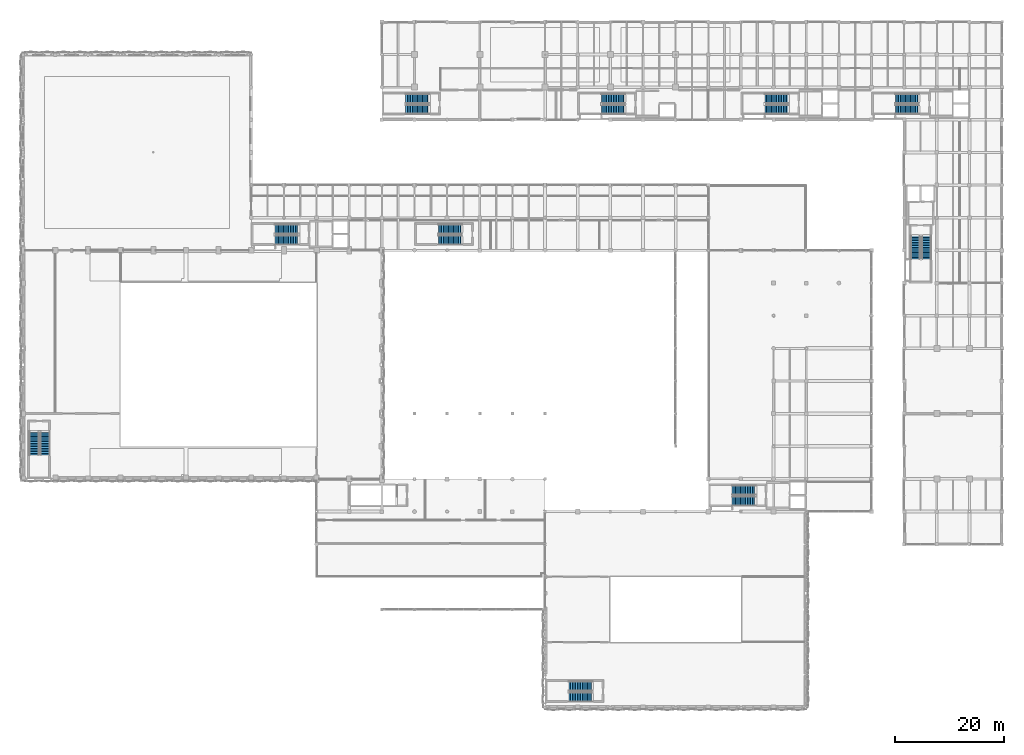
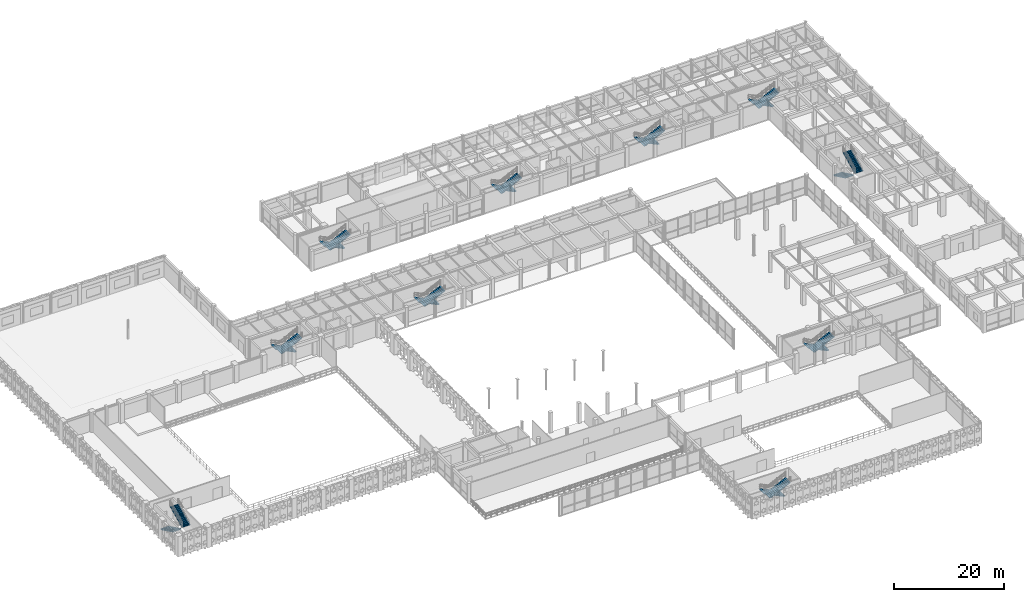
# One storey, part 97 of 116: 20 stair flights, 10 elements without a shape of their own.
"""IFC4 building model written with IfcOpenShell, lengths in metres."""

from ifc_helpers import new_model, si_unit, direction, frame, origin, place, context, subcontext, project, spatial, polyline, outline, extrude, material, type_object, element, aggregate, save


model = new_model("IFC4")

# Units and contexts
model_context = context("Model", 3, precision=1e-05, world=origin(), true_north=direction((0.0, 1.0)))
body_context = subcontext(model_context, "Body", "Model", "MODEL_VIEW")
ifc_project = project(units=[si_unit("LENGTHUNIT", "METRE"), si_unit("AREAUNIT", "SQUARE_METRE"), si_unit("VOLUMEUNIT", "CUBIC_METRE"), si_unit("PLANEANGLEUNIT", "RADIAN"), si_unit("MASSUNIT", "GRAM", prefix="KILO"), si_unit("THERMODYNAMICTEMPERATUREUNIT", "KELVIN"), si_unit("POWERUNIT", "WATT")], contexts=[model_context])

# Site, building, storey
site_placement = place(None, origin())
site = spatial("IfcSite", under=ifc_project, at=site_placement, CompositionType="ELEMENT")
building_placement = place(site_placement, origin())
building = spatial("IfcBuilding", under=site, at=building_placement, Name="Phaisarnlok Congress Hotel", CompositionType="ELEMENT")
storey_placement = place(building_placement, frame((0.0, 0.0, 10.5)))
storey = spatial("IfcBuildingStorey", under=building, at=storey_placement, Name="L02", CompositionType="ELEMENT", Elevation=10.5)

# Stair, stair flights
ifc_material = material(Name="Concrete C40/50", Category="concrete")
stair_type = type_object("IfcStairType", Name="STR-DOG-03", PredefinedType="HALF_TURN_STAIR", material=ifc_material)
stair_1_placement = place(storey_placement, origin())
stair_1 = element("IfcStair", 1, at=stair_1_placement, inside=storey, type_object=stair_type, Name="L02 ST-01", PredefinedType="HALF_TURN_STAIR")
stair_flight_type = type_object("IfcStairFlightType", Name="SFL-RC-03", PredefinedType="STRAIGHT", material=ifc_material)
stair_flight_1_placement = place(storey_placement, frame((50.719970703125, 87.909912109375, 0.0), z_axis=(0.0, 0.0, 1.0), x_axis=(-1.0, 0.0, 0.0)))
stair_flight_1 = element("IfcStairFlight", 2, at=stair_flight_1_placement, type_object=stair_flight_type, Name="ST-01 flight 1", NumberOfRisers=15, NumberOfTreads=14, PredefinedType="STRAIGHT", RiserHeight=0.15, TreadLength=0.31, context=body_context, shape_type="SweptSolid", body=[
    extrude(outline(polyline([(0.0, 0.0), (0.0, 0.14990234375), (0.31005859375, 0.14990234375), (0.31005859375, 0.300048828125), (0.6201171875, 0.300048828125), (0.6201171875, 0.449951171875), (0.929931640625, 0.449951171875), (0.929931640625, 0.60009765625), (1.239990234375, 0.60009765625), (1.239990234375, 0.75), (1.550048828125, 0.75), (1.550048828125, 0.89990234375), (1.860107421875, 0.89990234375), (1.860107421875, 1.050048828125), (2.169921875, 1.050048828125), (2.169921875, 1.199951171875), (2.47998046875, 1.199951171875), (2.47998046875, 1.35009765625), (2.7900390625, 1.35009765625), (2.7900390625, 1.5), (3.10009765625, 1.5), (3.10009765625, 1.64990234375), (3.409912109375, 1.64990234375), (3.409912109375, 1.800048828125), (3.719970703125, 1.800048828125), (3.719970703125, 1.949951171875), (4.030029296875, 1.949951171875), (4.030029296875, 2.10009765625), (4.340087890625, 2.10009765625), (4.340087890625, 2.25), (4.340087890625, 1.933349609375), (0.34423828125, 0.0), (0.0, 0.0)])), frame((0.0, 0.89013671875, 0.0), z_axis=(0.0, -1.0, 0.0), x_axis=(1.0, 0.0, 0.0)), (0.0, 0.0, 1.0), 1.780029296875),
])
stair_flight_2_placement = place(storey_placement, frame((46.3798828125, 85.889892578125, 2.25), z_axis=(0.0, 0.0, 1.0), x_axis=(1.0, 0.0, 0.0)))
stair_flight_2 = element("IfcStairFlight", 3, at=stair_flight_2_placement, type_object=stair_flight_type, Name="ST-01 flight 2", NumberOfRisers=15, NumberOfTreads=14, PredefinedType="STRAIGHT", RiserHeight=0.15, TreadLength=0.31, context=body_context, shape_type="SweptSolid", body=[
    extrude(outline(polyline([(0.0, 0.0), (0.0, 0.14990234375), (0.31005859375, 0.14990234375), (0.31005859375, 0.300048828125), (0.6201171875, 0.300048828125), (0.6201171875, 0.449951171875), (0.929931640625, 0.449951171875), (0.929931640625, 0.60009765625), (1.239990234375, 0.60009765625), (1.239990234375, 0.75), (1.550048828125, 0.75), (1.550048828125, 0.89990234375), (1.860107421875, 0.89990234375), (1.860107421875, 1.050048828125), (2.169921875, 1.050048828125), (2.169921875, 1.199951171875), (2.47998046875, 1.199951171875), (2.47998046875, 1.35009765625), (2.7900390625, 1.35009765625), (2.7900390625, 1.5), (3.10009765625, 1.5), (3.10009765625, 1.64990234375), (3.409912109375, 1.64990234375), (3.409912109375, 1.800048828125), (3.719970703125, 1.800048828125), (3.719970703125, 1.949951171875), (4.030029296875, 1.949951171875), (4.030029296875, 2.10009765625), (4.340087890625, 2.10009765625), (4.340087890625, 2.25), (4.340087890625, 1.933349609375), (0.34423828125, 0.0), (0.0, 0.0)])), frame((0.0, 0.89013671875, 0.0), z_axis=(0.0, -1.0, 0.0), x_axis=(1.0, 0.0, 0.0)), (0.0, 0.0, 1.0), 1.780029296875),
])
aggregate(stair_1, [stair_flight_1, stair_flight_2])

stair_2_placement = place(storey_placement, origin())
stair_2 = element("IfcStair", 4, at=stair_2_placement, inside=storey, type_object=stair_type, Name="L02 ST-02", PredefinedType="HALF_TURN_STAIR")
stair_flight_3_placement = place(storey_placement, frame((134.719970703125, 39.909912109375, 0.0), z_axis=(0.0, 0.0, 1.0), x_axis=(-1.0, 0.0, 0.0)))
stair_flight_3 = element("IfcStairFlight", 5, at=stair_flight_3_placement, type_object=stair_flight_type, Name="ST-02 flight 1", NumberOfRisers=15, NumberOfTreads=14, PredefinedType="STRAIGHT", RiserHeight=0.15, TreadLength=0.31, context=body_context, shape_type="SweptSolid", body=[
    extrude(outline(polyline([(0.0, 0.0), (0.0, 0.14990234375), (0.31005859375, 0.14990234375), (0.31005859375, 0.300048828125), (0.6201171875, 0.300048828125), (0.6201171875, 0.449951171875), (0.929931640625, 0.449951171875), (0.929931640625, 0.60009765625), (1.239990234375, 0.60009765625), (1.239990234375, 0.75), (1.550048828125, 0.75), (1.550048828125, 0.89990234375), (1.860107421875, 0.89990234375), (1.860107421875, 1.050048828125), (2.169921875, 1.050048828125), (2.169921875, 1.199951171875), (2.47998046875, 1.199951171875), (2.47998046875, 1.35009765625), (2.7900390625, 1.35009765625), (2.7900390625, 1.5), (3.10009765625, 1.5), (3.10009765625, 1.64990234375), (3.409912109375, 1.64990234375), (3.409912109375, 1.800048828125), (3.719970703125, 1.800048828125), (3.719970703125, 1.949951171875), (4.030029296875, 1.949951171875), (4.030029296875, 2.10009765625), (4.340087890625, 2.10009765625), (4.340087890625, 2.25), (4.340087890625, 1.933349609375), (0.34423828125, 0.0), (0.0, 0.0)])), frame((0.0, 0.89013671875, 0.0), z_axis=(0.0, -1.0, 0.0), x_axis=(1.0, 0.0, 0.0)), (0.0, 0.0, 1.0), 1.780029296875),
])
stair_flight_4_placement = place(storey_placement, frame((130.3798828125, 37.889892578125, 2.25), z_axis=(0.0, 0.0, 1.0), x_axis=(1.0, 0.0, 0.0)))
stair_flight_4 = element("IfcStairFlight", 6, at=stair_flight_4_placement, type_object=stair_flight_type, Name="ST-02 flight 2", NumberOfRisers=15, NumberOfTreads=14, PredefinedType="STRAIGHT", RiserHeight=0.15, TreadLength=0.31, context=body_context, shape_type="SweptSolid", body=[
    extrude(outline(polyline([(0.0, 0.0), (0.0, 0.14990234375), (0.31005859375, 0.14990234375), (0.31005859375, 0.300048828125), (0.6201171875, 0.300048828125), (0.6201171875, 0.449951171875), (0.929931640625, 0.449951171875), (0.929931640625, 0.60009765625), (1.239990234375, 0.60009765625), (1.239990234375, 0.75), (1.550048828125, 0.75), (1.550048828125, 0.89990234375), (1.860107421875, 0.89990234375), (1.860107421875, 1.050048828125), (2.169921875, 1.050048828125), (2.169921875, 1.199951171875), (2.47998046875, 1.199951171875), (2.47998046875, 1.35009765625), (2.7900390625, 1.35009765625), (2.7900390625, 1.5), (3.10009765625, 1.5), (3.10009765625, 1.64990234375), (3.409912109375, 1.64990234375), (3.409912109375, 1.800048828125), (3.719970703125, 1.800048828125), (3.719970703125, 1.949951171875), (4.030029296875, 1.949951171875), (4.030029296875, 2.10009765625), (4.340087890625, 2.10009765625), (4.340087890625, 2.25), (4.340087890625, 1.933349609375), (0.34423828125, 0.0), (0.0, 0.0)])), frame((0.0, 0.89013671875, 0.0), z_axis=(0.0, -1.0, 0.0), x_axis=(1.0, 0.0, 0.0)), (0.0, 0.0, 1.0), 1.780029296875),
])
aggregate(stair_2, [stair_flight_3, stair_flight_4])

stair_3_placement = place(storey_placement, origin())
stair_3 = element("IfcStair", 7, at=stair_3_placement, inside=storey, type_object=stair_type, Name="L02 ST-03", PredefinedType="HALF_TURN_STAIR")
stair_flight_5_placement = place(storey_placement, frame((2.090087890625, 50.719970703125, 0.0), z_axis=(0.0, 0.0, 1.0), x_axis=(0.0, -1.0, 0.0)))
stair_flight_5 = element("IfcStairFlight", 8, at=stair_flight_5_placement, type_object=stair_flight_type, Name="ST-03 flight 1", NumberOfRisers=15, NumberOfTreads=14, PredefinedType="STRAIGHT", RiserHeight=0.15, TreadLength=0.31, context=body_context, shape_type="SweptSolid", body=[
    extrude(outline(polyline([(0.0, 0.0), (0.0, 0.14990234375), (0.31005859375, 0.14990234375), (0.31005859375, 0.300048828125), (0.6201171875, 0.300048828125), (0.6201171875, 0.449951171875), (0.929931640625, 0.449951171875), (0.929931640625, 0.60009765625), (1.239990234375, 0.60009765625), (1.239990234375, 0.75), (1.550048828125, 0.75), (1.550048828125, 0.89990234375), (1.860107421875, 0.89990234375), (1.860107421875, 1.050048828125), (2.169921875, 1.050048828125), (2.169921875, 1.199951171875), (2.47998046875, 1.199951171875), (2.47998046875, 1.35009765625), (2.7900390625, 1.35009765625), (2.7900390625, 1.5), (3.10009765625, 1.5), (3.10009765625, 1.64990234375), (3.409912109375, 1.64990234375), (3.409912109375, 1.800048828125), (3.719970703125, 1.800048828125), (3.719970703125, 1.949951171875), (4.030029296875, 1.949951171875), (4.030029296875, 2.10009765625), (4.340087890625, 2.10009765625), (4.340087890625, 2.25), (4.340087890625, 1.933349609375), (0.34423828125, 0.0), (0.0, 0.0)])), frame((0.0, 0.89013671875, 0.0), z_axis=(0.0, -1.0, 0.0), x_axis=(1.0, 0.0, 0.0)), (0.0, 0.0, 1.0), 1.780029296875),
])
stair_flight_6_placement = place(storey_placement, frame((4.110107421875, 46.3798828125, 2.25), z_axis=(0.0, 0.0, 1.0), x_axis=(0.0, 1.0, 0.0)))
stair_flight_6 = element("IfcStairFlight", 9, at=stair_flight_6_placement, type_object=stair_flight_type, Name="ST-03 flight 2", NumberOfRisers=15, NumberOfTreads=14, PredefinedType="STRAIGHT", RiserHeight=0.15, TreadLength=0.31, context=body_context, shape_type="SweptSolid", body=[
    extrude(outline(polyline([(0.0, 0.0), (0.0, 0.14990234375), (0.31005859375, 0.14990234375), (0.31005859375, 0.300048828125), (0.6201171875, 0.300048828125), (0.6201171875, 0.449951171875), (0.929931640625, 0.449951171875), (0.929931640625, 0.60009765625), (1.239990234375, 0.60009765625), (1.239990234375, 0.75), (1.550048828125, 0.75), (1.550048828125, 0.89990234375), (1.860107421875, 0.89990234375), (1.860107421875, 1.050048828125), (2.169921875, 1.050048828125), (2.169921875, 1.199951171875), (2.47998046875, 1.199951171875), (2.47998046875, 1.35009765625), (2.7900390625, 1.35009765625), (2.7900390625, 1.5), (3.10009765625, 1.5), (3.10009765625, 1.64990234375), (3.409912109375, 1.64990234375), (3.409912109375, 1.800048828125), (3.719970703125, 1.800048828125), (3.719970703125, 1.949951171875), (4.030029296875, 1.949951171875), (4.030029296875, 2.10009765625), (4.340087890625, 2.10009765625), (4.340087890625, 2.25), (4.340087890625, 1.933349609375), (0.34423828125, 0.0), (0.0, 0.0)])), frame((0.0, 0.89013671875, 0.0), z_axis=(0.0, -1.0, 0.0), x_axis=(1.0, 0.0, 0.0)), (0.0, 0.0, 1.0), 1.780029296875),
])
aggregate(stair_3, [stair_flight_5, stair_flight_6])

stair_4_placement = place(storey_placement, origin())
stair_4 = element("IfcStair", 10, at=stair_4_placement, inside=storey, type_object=stair_type, Name="L02 ST-04", PredefinedType="HALF_TURN_STAIR")
stair_flight_7_placement = place(storey_placement, frame((104.719970703125, 3.909912109375, 0.0), z_axis=(0.0, 0.0, 1.0), x_axis=(-1.0, 0.0, 0.0)))
stair_flight_7 = element("IfcStairFlight", 11, at=stair_flight_7_placement, type_object=stair_flight_type, Name="ST-04 flight 1", NumberOfRisers=15, NumberOfTreads=14, PredefinedType="STRAIGHT", RiserHeight=0.15, TreadLength=0.31, context=body_context, shape_type="SweptSolid", body=[
    extrude(outline(polyline([(0.0, 0.0), (0.0, 0.14990234375), (0.31005859375, 0.14990234375), (0.31005859375, 0.300048828125), (0.6201171875, 0.300048828125), (0.6201171875, 0.449951171875), (0.929931640625, 0.449951171875), (0.929931640625, 0.60009765625), (1.239990234375, 0.60009765625), (1.239990234375, 0.75), (1.550048828125, 0.75), (1.550048828125, 0.89990234375), (1.860107421875, 0.89990234375), (1.860107421875, 1.050048828125), (2.169921875, 1.050048828125), (2.169921875, 1.199951171875), (2.47998046875, 1.199951171875), (2.47998046875, 1.35009765625), (2.7900390625, 1.35009765625), (2.7900390625, 1.5), (3.10009765625, 1.5), (3.10009765625, 1.64990234375), (3.409912109375, 1.64990234375), (3.409912109375, 1.800048828125), (3.719970703125, 1.800048828125), (3.719970703125, 1.949951171875), (4.030029296875, 1.949951171875), (4.030029296875, 2.10009765625), (4.340087890625, 2.10009765625), (4.340087890625, 2.25), (4.340087890625, 1.933349609375), (0.34423828125, 0.0), (0.0, 0.0)])), frame((0.0, 0.89013671875, 0.0), z_axis=(0.0, -1.0, 0.0), x_axis=(1.0, 0.0, 0.0)), (0.0, 0.0, 1.0), 1.780029296875),
])
stair_flight_8_placement = place(storey_placement, frame((100.3798828125, 1.889892578125, 2.25), z_axis=(0.0, 0.0, 1.0), x_axis=(1.0, 0.0, 0.0)))
stair_flight_8 = element("IfcStairFlight", 12, at=stair_flight_8_placement, type_object=stair_flight_type, Name="ST-04 flight 2", NumberOfRisers=15, NumberOfTreads=14, PredefinedType="STRAIGHT", RiserHeight=0.15, TreadLength=0.31, context=body_context, shape_type="SweptSolid", body=[
    extrude(outline(polyline([(0.0, 0.0), (0.0, 0.14990234375), (0.31005859375, 0.14990234375), (0.31005859375, 0.300048828125), (0.6201171875, 0.300048828125), (0.6201171875, 0.449951171875), (0.929931640625, 0.449951171875), (0.929931640625, 0.60009765625), (1.239990234375, 0.60009765625), (1.239990234375, 0.75), (1.550048828125, 0.75), (1.550048828125, 0.89990234375), (1.860107421875, 0.89990234375), (1.860107421875, 1.050048828125), (2.169921875, 1.050048828125), (2.169921875, 1.199951171875), (2.47998046875, 1.199951171875), (2.47998046875, 1.35009765625), (2.7900390625, 1.35009765625), (2.7900390625, 1.5), (3.10009765625, 1.5), (3.10009765625, 1.64990234375), (3.409912109375, 1.64990234375), (3.409912109375, 1.800048828125), (3.719970703125, 1.800048828125), (3.719970703125, 1.949951171875), (4.030029296875, 1.949951171875), (4.030029296875, 2.10009765625), (4.340087890625, 2.10009765625), (4.340087890625, 2.25), (4.340087890625, 1.933349609375), (0.34423828125, 0.0), (0.0, 0.0)])), frame((0.0, 0.89013671875, 0.0), z_axis=(0.0, -1.0, 0.0), x_axis=(1.0, 0.0, 0.0)), (0.0, 0.0, 1.0), 1.780029296875),
])
aggregate(stair_4, [stair_flight_7, stair_flight_8])

stair_5_placement = place(storey_placement, origin())
stair_5 = element("IfcStair", 13, at=stair_5_placement, inside=storey, type_object=stair_type, Name="L02 ST-05", PredefinedType="HALF_TURN_STAIR")
stair_flight_9_placement = place(storey_placement, frame((164.719970703125, 111.909912109375, 0.0), z_axis=(0.0, 0.0, 1.0), x_axis=(-1.0, 0.0, 0.0)))
stair_flight_9 = element("IfcStairFlight", 14, at=stair_flight_9_placement, type_object=stair_flight_type, Name="ST-05 flight 1", NumberOfRisers=15, NumberOfTreads=14, PredefinedType="STRAIGHT", RiserHeight=0.15, TreadLength=0.31, context=body_context, shape_type="SweptSolid", body=[
    extrude(outline(polyline([(0.0, 0.0), (0.0, 0.14990234375), (0.31005859375, 0.14990234375), (0.31005859375, 0.300048828125), (0.6201171875, 0.300048828125), (0.6201171875, 0.449951171875), (0.929931640625, 0.449951171875), (0.929931640625, 0.60009765625), (1.239990234375, 0.60009765625), (1.239990234375, 0.75), (1.550048828125, 0.75), (1.550048828125, 0.89990234375), (1.860107421875, 0.89990234375), (1.860107421875, 1.050048828125), (2.169921875, 1.050048828125), (2.169921875, 1.199951171875), (2.47998046875, 1.199951171875), (2.47998046875, 1.35009765625), (2.7900390625, 1.35009765625), (2.7900390625, 1.5), (3.10009765625, 1.5), (3.10009765625, 1.64990234375), (3.409912109375, 1.64990234375), (3.409912109375, 1.800048828125), (3.719970703125, 1.800048828125), (3.719970703125, 1.949951171875), (4.030029296875, 1.949951171875), (4.030029296875, 2.10009765625), (4.340087890625, 2.10009765625), (4.340087890625, 2.25), (4.340087890625, 1.933349609375), (0.34423828125, 0.0), (0.0, 0.0)])), frame((0.0, 0.89013671875, 0.0), z_axis=(0.0, -1.0, 0.0), x_axis=(1.0, 0.0, 0.0)), (0.0, 0.0, 1.0), 1.780029296875),
])
stair_flight_10_placement = place(storey_placement, frame((160.3798828125, 109.889892578125, 2.25), z_axis=(0.0, 0.0, 1.0), x_axis=(1.0, 0.0, 0.0)))
stair_flight_10 = element("IfcStairFlight", 15, at=stair_flight_10_placement, type_object=stair_flight_type, Name="ST-05 flight 2", NumberOfRisers=15, NumberOfTreads=14, PredefinedType="STRAIGHT", RiserHeight=0.15, TreadLength=0.31, context=body_context, shape_type="SweptSolid", body=[
    extrude(outline(polyline([(0.0, 0.0), (0.0, 0.14990234375), (0.31005859375, 0.14990234375), (0.31005859375, 0.300048828125), (0.6201171875, 0.300048828125), (0.6201171875, 0.449951171875), (0.929931640625, 0.449951171875), (0.929931640625, 0.60009765625), (1.239990234375, 0.60009765625), (1.239990234375, 0.75), (1.550048828125, 0.75), (1.550048828125, 0.89990234375), (1.860107421875, 0.89990234375), (1.860107421875, 1.050048828125), (2.169921875, 1.050048828125), (2.169921875, 1.199951171875), (2.47998046875, 1.199951171875), (2.47998046875, 1.35009765625), (2.7900390625, 1.35009765625), (2.7900390625, 1.5), (3.10009765625, 1.5), (3.10009765625, 1.64990234375), (3.409912109375, 1.64990234375), (3.409912109375, 1.800048828125), (3.719970703125, 1.800048828125), (3.719970703125, 1.949951171875), (4.030029296875, 1.949951171875), (4.030029296875, 2.10009765625), (4.340087890625, 2.10009765625), (4.340087890625, 2.25), (4.340087890625, 1.933349609375), (0.34423828125, 0.0), (0.0, 0.0)])), frame((0.0, 0.89013671875, 0.0), z_axis=(0.0, -1.0, 0.0), x_axis=(1.0, 0.0, 0.0)), (0.0, 0.0, 1.0), 1.780029296875),
])
aggregate(stair_5, [stair_flight_9, stair_flight_10])

stair_6_placement = place(storey_placement, origin())
stair_6 = element("IfcStair", 16, at=stair_6_placement, inside=storey, type_object=stair_type, Name="L02 ST-06", PredefinedType="HALF_TURN_STAIR")
stair_flight_11_placement = place(storey_placement, frame((140.719970703125, 111.909912109375, 0.0), z_axis=(0.0, 0.0, 1.0), x_axis=(-1.0, 0.0, 0.0)))
stair_flight_11 = element("IfcStairFlight", 17, at=stair_flight_11_placement, type_object=stair_flight_type, Name="ST-06 flight 1", NumberOfRisers=15, NumberOfTreads=14, PredefinedType="STRAIGHT", RiserHeight=0.15, TreadLength=0.31, context=body_context, shape_type="SweptSolid", body=[
    extrude(outline(polyline([(0.0, 0.0), (0.0, 0.14990234375), (0.31005859375, 0.14990234375), (0.31005859375, 0.300048828125), (0.6201171875, 0.300048828125), (0.6201171875, 0.449951171875), (0.929931640625, 0.449951171875), (0.929931640625, 0.60009765625), (1.239990234375, 0.60009765625), (1.239990234375, 0.75), (1.550048828125, 0.75), (1.550048828125, 0.89990234375), (1.860107421875, 0.89990234375), (1.860107421875, 1.050048828125), (2.169921875, 1.050048828125), (2.169921875, 1.199951171875), (2.47998046875, 1.199951171875), (2.47998046875, 1.35009765625), (2.7900390625, 1.35009765625), (2.7900390625, 1.5), (3.10009765625, 1.5), (3.10009765625, 1.64990234375), (3.409912109375, 1.64990234375), (3.409912109375, 1.800048828125), (3.719970703125, 1.800048828125), (3.719970703125, 1.949951171875), (4.030029296875, 1.949951171875), (4.030029296875, 2.10009765625), (4.340087890625, 2.10009765625), (4.340087890625, 2.25), (4.340087890625, 1.933349609375), (0.34423828125, 0.0), (0.0, 0.0)])), frame((0.0, 0.89013671875, 0.0), z_axis=(0.0, -1.0, 0.0), x_axis=(1.0, 0.0, 0.0)), (0.0, 0.0, 1.0), 1.780029296875),
])
stair_flight_12_placement = place(storey_placement, frame((136.3798828125, 109.889892578125, 2.25), z_axis=(0.0, 0.0, 1.0), x_axis=(1.0, 0.0, 0.0)))
stair_flight_12 = element("IfcStairFlight", 18, at=stair_flight_12_placement, type_object=stair_flight_type, Name="ST-06 flight 2", NumberOfRisers=15, NumberOfTreads=14, PredefinedType="STRAIGHT", RiserHeight=0.15, TreadLength=0.31, context=body_context, shape_type="SweptSolid", body=[
    extrude(outline(polyline([(0.0, 0.0), (0.0, 0.14990234375), (0.31005859375, 0.14990234375), (0.31005859375, 0.300048828125), (0.6201171875, 0.300048828125), (0.6201171875, 0.449951171875), (0.929931640625, 0.449951171875), (0.929931640625, 0.60009765625), (1.239990234375, 0.60009765625), (1.239990234375, 0.75), (1.550048828125, 0.75), (1.550048828125, 0.89990234375), (1.860107421875, 0.89990234375), (1.860107421875, 1.050048828125), (2.169921875, 1.050048828125), (2.169921875, 1.199951171875), (2.47998046875, 1.199951171875), (2.47998046875, 1.35009765625), (2.7900390625, 1.35009765625), (2.7900390625, 1.5), (3.10009765625, 1.5), (3.10009765625, 1.64990234375), (3.409912109375, 1.64990234375), (3.409912109375, 1.800048828125), (3.719970703125, 1.800048828125), (3.719970703125, 1.949951171875), (4.030029296875, 1.949951171875), (4.030029296875, 2.10009765625), (4.340087890625, 2.10009765625), (4.340087890625, 2.25), (4.340087890625, 1.933349609375), (0.34423828125, 0.0), (0.0, 0.0)])), frame((0.0, 0.89013671875, 0.0), z_axis=(0.0, -1.0, 0.0), x_axis=(1.0, 0.0, 0.0)), (0.0, 0.0, 1.0), 1.780029296875),
])
aggregate(stair_6, [stair_flight_11, stair_flight_12])

stair_7_placement = place(storey_placement, origin())
stair_7 = element("IfcStair", 19, at=stair_7_placement, inside=storey, type_object=stair_type, Name="L02 ST-07", PredefinedType="HALF_TURN_STAIR")
stair_flight_13_placement = place(storey_placement, frame((110.719970703125, 111.909912109375, 0.0), z_axis=(0.0, 0.0, 1.0), x_axis=(-1.0, 0.0, 0.0)))
stair_flight_13 = element("IfcStairFlight", 20, at=stair_flight_13_placement, type_object=stair_flight_type, Name="ST-07 flight 1", NumberOfRisers=15, NumberOfTreads=14, PredefinedType="STRAIGHT", RiserHeight=0.15, TreadLength=0.31, context=body_context, shape_type="SweptSolid", body=[
    extrude(outline(polyline([(0.0, 0.0), (0.0, 0.14990234375), (0.31005859375, 0.14990234375), (0.31005859375, 0.300048828125), (0.6201171875, 0.300048828125), (0.6201171875, 0.449951171875), (0.929931640625, 0.449951171875), (0.929931640625, 0.60009765625), (1.239990234375, 0.60009765625), (1.239990234375, 0.75), (1.550048828125, 0.75), (1.550048828125, 0.89990234375), (1.860107421875, 0.89990234375), (1.860107421875, 1.050048828125), (2.169921875, 1.050048828125), (2.169921875, 1.199951171875), (2.47998046875, 1.199951171875), (2.47998046875, 1.35009765625), (2.7900390625, 1.35009765625), (2.7900390625, 1.5), (3.10009765625, 1.5), (3.10009765625, 1.64990234375), (3.409912109375, 1.64990234375), (3.409912109375, 1.800048828125), (3.719970703125, 1.800048828125), (3.719970703125, 1.949951171875), (4.030029296875, 1.949951171875), (4.030029296875, 2.10009765625), (4.340087890625, 2.10009765625), (4.340087890625, 2.25), (4.340087890625, 1.933349609375), (0.34423828125, 0.0), (0.0, 0.0)])), frame((0.0, 0.89013671875, 0.0), z_axis=(0.0, -1.0, 0.0), x_axis=(1.0, 0.0, 0.0)), (0.0, 0.0, 1.0), 1.780029296875),
])
stair_flight_14_placement = place(storey_placement, frame((106.3798828125, 109.889892578125, 2.25), z_axis=(0.0, 0.0, 1.0), x_axis=(1.0, 0.0, 0.0)))
stair_flight_14 = element("IfcStairFlight", 21, at=stair_flight_14_placement, type_object=stair_flight_type, Name="ST-07 flight 2", NumberOfRisers=15, NumberOfTreads=14, PredefinedType="STRAIGHT", RiserHeight=0.15, TreadLength=0.31, context=body_context, shape_type="SweptSolid", body=[
    extrude(outline(polyline([(0.0, 0.0), (0.0, 0.14990234375), (0.31005859375, 0.14990234375), (0.31005859375, 0.300048828125), (0.6201171875, 0.300048828125), (0.6201171875, 0.449951171875), (0.929931640625, 0.449951171875), (0.929931640625, 0.60009765625), (1.239990234375, 0.60009765625), (1.239990234375, 0.75), (1.550048828125, 0.75), (1.550048828125, 0.89990234375), (1.860107421875, 0.89990234375), (1.860107421875, 1.050048828125), (2.169921875, 1.050048828125), (2.169921875, 1.199951171875), (2.47998046875, 1.199951171875), (2.47998046875, 1.35009765625), (2.7900390625, 1.35009765625), (2.7900390625, 1.5), (3.10009765625, 1.5), (3.10009765625, 1.64990234375), (3.409912109375, 1.64990234375), (3.409912109375, 1.800048828125), (3.719970703125, 1.800048828125), (3.719970703125, 1.949951171875), (4.030029296875, 1.949951171875), (4.030029296875, 2.10009765625), (4.340087890625, 2.10009765625), (4.340087890625, 2.25), (4.340087890625, 1.933349609375), (0.34423828125, 0.0), (0.0, 0.0)])), frame((0.0, 0.89013671875, 0.0), z_axis=(0.0, -1.0, 0.0), x_axis=(1.0, 0.0, 0.0)), (0.0, 0.0, 1.0), 1.780029296875),
])
aggregate(stair_7, [stair_flight_13, stair_flight_14])

stair_8_placement = place(storey_placement, origin())
stair_8 = element("IfcStair", 22, at=stair_8_placement, inside=storey, type_object=stair_type, Name="L02 ST-09", PredefinedType="HALF_TURN_STAIR")
stair_flight_15_placement = place(storey_placement, frame((164.090087890625, 86.719970703125, 0.0), z_axis=(0.0, 0.0, 1.0), x_axis=(0.0, -1.0, 0.0)))
stair_flight_15 = element("IfcStairFlight", 23, at=stair_flight_15_placement, type_object=stair_flight_type, Name="ST-09 flight 1", NumberOfRisers=15, NumberOfTreads=14, PredefinedType="STRAIGHT", RiserHeight=0.15, TreadLength=0.31, context=body_context, shape_type="SweptSolid", body=[
    extrude(outline(polyline([(0.0, 0.0), (0.0, 0.14990234375), (0.31005859375, 0.14990234375), (0.31005859375, 0.300048828125), (0.6201171875, 0.300048828125), (0.6201171875, 0.449951171875), (0.929931640625, 0.449951171875), (0.929931640625, 0.60009765625), (1.239990234375, 0.60009765625), (1.239990234375, 0.75), (1.550048828125, 0.75), (1.550048828125, 0.89990234375), (1.860107421875, 0.89990234375), (1.860107421875, 1.050048828125), (2.169921875, 1.050048828125), (2.169921875, 1.199951171875), (2.47998046875, 1.199951171875), (2.47998046875, 1.35009765625), (2.7900390625, 1.35009765625), (2.7900390625, 1.5), (3.10009765625, 1.5), (3.10009765625, 1.64990234375), (3.409912109375, 1.64990234375), (3.409912109375, 1.800048828125), (3.719970703125, 1.800048828125), (3.719970703125, 1.949951171875), (4.030029296875, 1.949951171875), (4.030029296875, 2.10009765625), (4.340087890625, 2.10009765625), (4.340087890625, 2.25), (4.340087890625, 1.933349609375), (0.34423828125, 0.0), (0.0, 0.0)])), frame((0.0, 0.89013671875, 0.0), z_axis=(0.0, -1.0, 0.0), x_axis=(1.0, 0.0, 0.0)), (0.0, 0.0, 1.0), 1.780029296875),
])
stair_flight_16_placement = place(storey_placement, frame((166.110107421875, 82.3798828125, 2.25), z_axis=(0.0, 0.0, 1.0), x_axis=(0.0, 1.0, 0.0)))
stair_flight_16 = element("IfcStairFlight", 24, at=stair_flight_16_placement, type_object=stair_flight_type, Name="ST-09 flight 2", NumberOfRisers=15, NumberOfTreads=14, PredefinedType="STRAIGHT", RiserHeight=0.15, TreadLength=0.31, context=body_context, shape_type="SweptSolid", body=[
    extrude(outline(polyline([(0.0, 0.0), (0.0, 0.14990234375), (0.31005859375, 0.14990234375), (0.31005859375, 0.300048828125), (0.6201171875, 0.300048828125), (0.6201171875, 0.449951171875), (0.929931640625, 0.449951171875), (0.929931640625, 0.60009765625), (1.239990234375, 0.60009765625), (1.239990234375, 0.75), (1.550048828125, 0.75), (1.550048828125, 0.89990234375), (1.860107421875, 0.89990234375), (1.860107421875, 1.050048828125), (2.169921875, 1.050048828125), (2.169921875, 1.199951171875), (2.47998046875, 1.199951171875), (2.47998046875, 1.35009765625), (2.7900390625, 1.35009765625), (2.7900390625, 1.5), (3.10009765625, 1.5), (3.10009765625, 1.64990234375), (3.409912109375, 1.64990234375), (3.409912109375, 1.800048828125), (3.719970703125, 1.800048828125), (3.719970703125, 1.949951171875), (4.030029296875, 1.949951171875), (4.030029296875, 2.10009765625), (4.340087890625, 2.10009765625), (4.340087890625, 2.25), (4.340087890625, 1.933349609375), (0.34423828125, 0.0), (0.0, 0.0)])), frame((0.0, 0.89013671875, 0.0), z_axis=(0.0, -1.0, 0.0), x_axis=(1.0, 0.0, 0.0)), (0.0, 0.0, 1.0), 1.780029296875),
])
aggregate(stair_8, [stair_flight_15, stair_flight_16])

stair_9_placement = place(storey_placement, origin())
stair_9 = element("IfcStair", 25, at=stair_9_placement, inside=storey, type_object=stair_type, Name="L02 ST-10", PredefinedType="HALF_TURN_STAIR")
stair_flight_17_placement = place(storey_placement, frame((74.719970703125, 111.909912109375, 0.0), z_axis=(0.0, 0.0, 1.0), x_axis=(-1.0, 0.0, 0.0)))
stair_flight_17 = element("IfcStairFlight", 26, at=stair_flight_17_placement, type_object=stair_flight_type, Name="ST-10 flight 1", NumberOfRisers=15, NumberOfTreads=14, PredefinedType="STRAIGHT", RiserHeight=0.15, TreadLength=0.31, context=body_context, shape_type="SweptSolid", body=[
    extrude(outline(polyline([(0.0, 0.0), (0.0, 0.14990234375), (0.31005859375, 0.14990234375), (0.31005859375, 0.300048828125), (0.6201171875, 0.300048828125), (0.6201171875, 0.449951171875), (0.929931640625, 0.449951171875), (0.929931640625, 0.60009765625), (1.239990234375, 0.60009765625), (1.239990234375, 0.75), (1.550048828125, 0.75), (1.550048828125, 0.89990234375), (1.860107421875, 0.89990234375), (1.860107421875, 1.050048828125), (2.169921875, 1.050048828125), (2.169921875, 1.199951171875), (2.47998046875, 1.199951171875), (2.47998046875, 1.35009765625), (2.7900390625, 1.35009765625), (2.7900390625, 1.5), (3.10009765625, 1.5), (3.10009765625, 1.64990234375), (3.409912109375, 1.64990234375), (3.409912109375, 1.800048828125), (3.719970703125, 1.800048828125), (3.719970703125, 1.949951171875), (4.030029296875, 1.949951171875), (4.030029296875, 2.10009765625), (4.340087890625, 2.10009765625), (4.340087890625, 2.25), (4.340087890625, 1.933349609375), (0.34423828125, 0.0), (0.0, 0.0)])), frame((0.0, 0.89013671875, 0.0), z_axis=(0.0, -1.0, 0.0), x_axis=(1.0, 0.0, 0.0)), (0.0, 0.0, 1.0), 1.780029296875),
])
stair_flight_18_placement = place(storey_placement, frame((70.3798828125, 109.889892578125, 2.25), z_axis=(0.0, 0.0, 1.0), x_axis=(1.0, 0.0, 0.0)))
stair_flight_18 = element("IfcStairFlight", 27, at=stair_flight_18_placement, type_object=stair_flight_type, Name="ST-10 flight 2", NumberOfRisers=15, NumberOfTreads=14, PredefinedType="STRAIGHT", RiserHeight=0.15, TreadLength=0.31, context=body_context, shape_type="SweptSolid", body=[
    extrude(outline(polyline([(0.0, 0.0), (0.0, 0.14990234375), (0.31005859375, 0.14990234375), (0.31005859375, 0.300048828125), (0.6201171875, 0.300048828125), (0.6201171875, 0.449951171875), (0.929931640625, 0.449951171875), (0.929931640625, 0.60009765625), (1.239990234375, 0.60009765625), (1.239990234375, 0.75), (1.550048828125, 0.75), (1.550048828125, 0.89990234375), (1.860107421875, 0.89990234375), (1.860107421875, 1.050048828125), (2.169921875, 1.050048828125), (2.169921875, 1.199951171875), (2.47998046875, 1.199951171875), (2.47998046875, 1.35009765625), (2.7900390625, 1.35009765625), (2.7900390625, 1.5), (3.10009765625, 1.5), (3.10009765625, 1.64990234375), (3.409912109375, 1.64990234375), (3.409912109375, 1.800048828125), (3.719970703125, 1.800048828125), (3.719970703125, 1.949951171875), (4.030029296875, 1.949951171875), (4.030029296875, 2.10009765625), (4.340087890625, 2.10009765625), (4.340087890625, 2.25), (4.340087890625, 1.933349609375), (0.34423828125, 0.0), (0.0, 0.0)])), frame((0.0, 0.89013671875, 0.0), z_axis=(0.0, -1.0, 0.0), x_axis=(1.0, 0.0, 0.0)), (0.0, 0.0, 1.0), 1.780029296875),
])
aggregate(stair_9, [stair_flight_17, stair_flight_18])

stair_10_placement = place(storey_placement, origin())
stair_10 = element("IfcStair", 28, at=stair_10_placement, inside=storey, type_object=stair_type, Name="L02 ST-11", PredefinedType="HALF_TURN_STAIR")
stair_flight_19_placement = place(storey_placement, frame((80.719970703125, 87.909912109375, 0.0), z_axis=(0.0, 0.0, 1.0), x_axis=(-1.0, 0.0, 0.0)))
stair_flight_19 = element("IfcStairFlight", 29, at=stair_flight_19_placement, type_object=stair_flight_type, Name="ST-11 flight 1", NumberOfRisers=15, NumberOfTreads=14, PredefinedType="STRAIGHT", RiserHeight=0.15, TreadLength=0.31, context=body_context, shape_type="SweptSolid", body=[
    extrude(outline(polyline([(0.0, 0.0), (0.0, 0.14990234375), (0.31005859375, 0.14990234375), (0.31005859375, 0.300048828125), (0.6201171875, 0.300048828125), (0.6201171875, 0.449951171875), (0.929931640625, 0.449951171875), (0.929931640625, 0.60009765625), (1.239990234375, 0.60009765625), (1.239990234375, 0.75), (1.550048828125, 0.75), (1.550048828125, 0.89990234375), (1.860107421875, 0.89990234375), (1.860107421875, 1.050048828125), (2.169921875, 1.050048828125), (2.169921875, 1.199951171875), (2.47998046875, 1.199951171875), (2.47998046875, 1.35009765625), (2.7900390625, 1.35009765625), (2.7900390625, 1.5), (3.10009765625, 1.5), (3.10009765625, 1.64990234375), (3.409912109375, 1.64990234375), (3.409912109375, 1.800048828125), (3.719970703125, 1.800048828125), (3.719970703125, 1.949951171875), (4.030029296875, 1.949951171875), (4.030029296875, 2.10009765625), (4.340087890625, 2.10009765625), (4.340087890625, 2.25), (4.340087890625, 1.933349609375), (0.34423828125, 0.0), (0.0, 0.0)])), frame((0.0, 0.89013671875, 0.0), z_axis=(0.0, -1.0, 0.0), x_axis=(1.0, 0.0, 0.0)), (0.0, 0.0, 1.0), 1.780029296875),
])
stair_flight_20_placement = place(storey_placement, frame((76.3798828125, 85.889892578125, 2.25), z_axis=(0.0, 0.0, 1.0), x_axis=(1.0, 0.0, 0.0)))
stair_flight_20 = element("IfcStairFlight", 30, at=stair_flight_20_placement, type_object=stair_flight_type, Name="ST-11 flight 2", NumberOfRisers=15, NumberOfTreads=14, PredefinedType="STRAIGHT", RiserHeight=0.15, TreadLength=0.31, context=body_context, shape_type="SweptSolid", body=[
    extrude(outline(polyline([(0.0, 0.0), (0.0, 0.14990234375), (0.31005859375, 0.14990234375), (0.31005859375, 0.300048828125), (0.6201171875, 0.300048828125), (0.6201171875, 0.449951171875), (0.929931640625, 0.449951171875), (0.929931640625, 0.60009765625), (1.239990234375, 0.60009765625), (1.239990234375, 0.75), (1.550048828125, 0.75), (1.550048828125, 0.89990234375), (1.860107421875, 0.89990234375), (1.860107421875, 1.050048828125), (2.169921875, 1.050048828125), (2.169921875, 1.199951171875), (2.47998046875, 1.199951171875), (2.47998046875, 1.35009765625), (2.7900390625, 1.35009765625), (2.7900390625, 1.5), (3.10009765625, 1.5), (3.10009765625, 1.64990234375), (3.409912109375, 1.64990234375), (3.409912109375, 1.800048828125), (3.719970703125, 1.800048828125), (3.719970703125, 1.949951171875), (4.030029296875, 1.949951171875), (4.030029296875, 2.10009765625), (4.340087890625, 2.10009765625), (4.340087890625, 2.25), (4.340087890625, 1.933349609375), (0.34423828125, 0.0), (0.0, 0.0)])), frame((0.0, 0.89013671875, 0.0), z_axis=(0.0, -1.0, 0.0), x_axis=(1.0, 0.0, 0.0)), (0.0, 0.0, 1.0), 1.780029296875),
])
aggregate(stair_10, [stair_flight_19, stair_flight_20])

save(model, "model.ifc")
